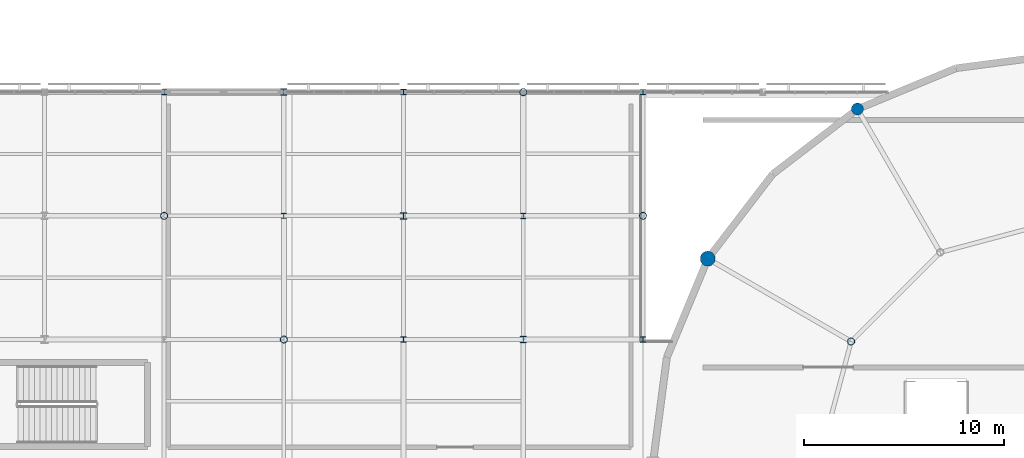
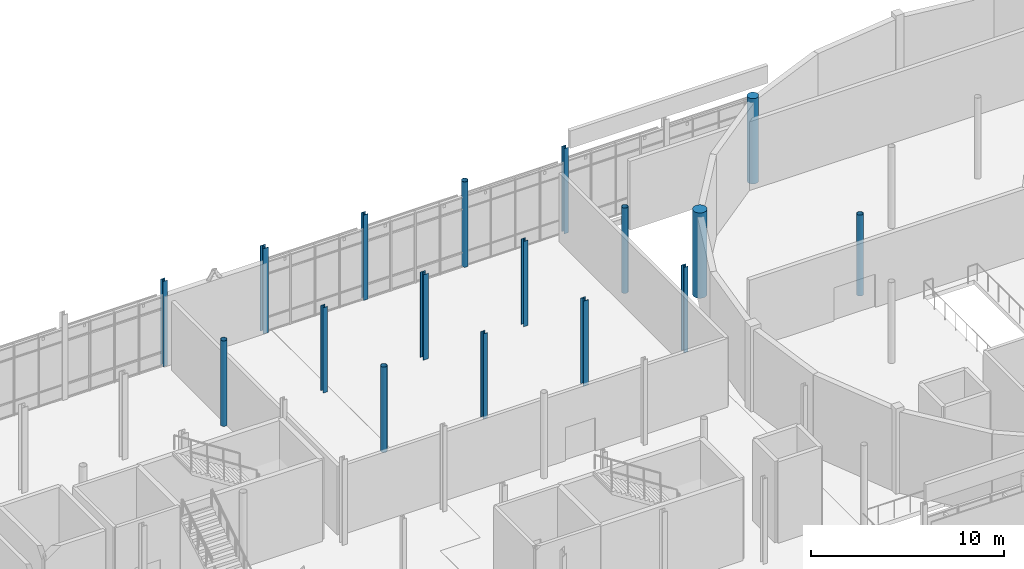
# One storey, part 9 of 105: 17 columns.
"""IFC4 building model written with IfcOpenShell, lengths in metres."""

from ifc_helpers import new_model, si_unit, direction, frame, origin, origin_2d, place, context, subcontext, project, spatial, circle, hollow_circle, i_section, extrude, material, material_profile, profile_set, type_object, element, save


model = new_model("IFC4")

# Units and contexts
model_context = context("Model", 3, precision=1e-05, world=origin(), true_north=direction((0.0, 1.0)))
body_context = subcontext(model_context, "Body", "Model", "MODEL_VIEW")
ifc_project = project(units=[si_unit("LENGTHUNIT", "METRE"), si_unit("AREAUNIT", "SQUARE_METRE"), si_unit("VOLUMEUNIT", "CUBIC_METRE"), si_unit("PLANEANGLEUNIT", "RADIAN"), si_unit("MASSUNIT", "GRAM", prefix="KILO")], contexts=[model_context])

# Site, building, storey
site_placement = place(None, origin())
site = spatial("IfcSite", under=ifc_project, at=site_placement, CompositionType="ELEMENT")
building_placement = place(site_placement, origin())
building = spatial("IfcBuilding", under=site, at=building_placement, Name="Mirzam Square Science Centre", CompositionType="ELEMENT")
storey_placement = place(building_placement, frame((0.0, 0.0, 5.39990234375)))
storey = spatial("IfcBuildingStorey", under=building, at=storey_placement, Name="L01", CompositionType="ELEMENT", Elevation=5.39990234375)

# Columns
ifc_material_1 = material(Name="Steel S355", Category="steel")
ifc_material_profile_1 = material_profile(ifc_material_1, hollow_circle(Radius=0.177734375, WallThickness=0.012451171875, at=origin_2d()), Name="355.6x12.5CHS")
ifc_profile_set_1 = profile_set([ifc_material_profile_1], Name="Steel S355")
column_type_1 = type_object("IfcColumnType", Name="COL-CHS355", PredefinedType="COLUMN", material=ifc_profile_set_1)
for number, where, z_axis, x_axis, name in (
    (1, (36.0, 74.39990234375, 0.0), (0.0, 0.0, 1.0), (1.0, 0.0, 0.0), "L01 column G07-13"),
    (2, (42.0, 68.199951171875, 0.0), (0.0, 0.0, 1.0), (1.0, 0.0, 0.0), "L01 column G08-12"),
    (3, (54.0, 80.60009765625, 0.0), (0.0, 0.0, 1.0), (1.0, 0.0, 0.0), "L01 column G10-14"),
    (4, (60.0, 74.39990234375, 0.0), (0.0, 0.0, 1.0), (1.0, 0.0, 0.0), "L01 column G11-13"),
):
    element("IfcColumn", number, at=place(storey_placement, frame(where, z_axis=z_axis, x_axis=x_axis)), inside=storey, type_object=column_type_1, Name=name, PredefinedType="COLUMN", context=body_context, shape_type="SweptSolid", body=[
        extrude(hollow_circle(Radius=0.177734375, WallThickness=0.012451171875, at=origin_2d()), origin(), (0.0, 0.0, 1.0), 5.400146484375),
    ])
column_1_placement = place(storey_placement, frame((70.4345703125, 68.10009765625, 0.0), z_axis=(0.0, 0.0, 1.0), x_axis=(1.0, 0.0, 0.0)))
element("IfcColumn", 5, at=column_1_placement, inside=storey, type_object=column_type_1, Name="L01 inner drum column 06", PredefinedType="COLUMN", context=body_context, shape_type="SweptSolid", body=[
    extrude(hollow_circle(Radius=0.177734375, WallThickness=0.012451171875, at=origin_2d()), origin(), (0.0, 0.0, 1.0), 5.1201171875),
])
ifc_material_profile_2 = material_profile(ifc_material_1, i_section(OverallWidth=0.25634765625, OverallDepth=0.26025390625, WebThickness=0.01025390625, FlangeThickness=0.017333984375, FilletRadius=0.0126953125, at=origin_2d()), Name="254x254x89UC")
ifc_profile_set_2 = profile_set([ifc_material_profile_2], Name="Steel S355")
column_type_2 = type_object("IfcColumnType", Name="COL-UC254A", PredefinedType="COLUMN", material=ifc_profile_set_2)
for number, where, z_axis, x_axis, name in (
    (6, (36.0, 80.60009765625, 0.0), (0.0, 0.0, 1.0), (1.0, 0.0, 0.0), "L01 column G07-14"),
    (7, (42.0, 74.39990234375, 0.0), (0.0, 0.0, 1.0), (1.0, 0.0, 0.0), "L01 column G08-13"),
    (8, (48.0, 68.199951171875, 0.0), (0.0, 0.0, 1.0), (1.0, 0.0, 0.0), "L01 column G09-12"),
    (9, (60.0, 80.60009765625, 0.0), (0.0, 0.0, 1.0), (1.0, 0.0, 0.0), "L01 column G11-14"),
):
    element("IfcColumn", number, at=place(storey_placement, frame(where, z_axis=z_axis, x_axis=x_axis)), inside=storey, type_object=column_type_2, Name=name, PredefinedType="COLUMN", context=body_context, shape_type="SweptSolid", body=[
        extrude(i_section(OverallWidth=0.25634765625, OverallDepth=0.26025390625, WebThickness=0.01025390625, FlangeThickness=0.017333984375, FilletRadius=0.0126953125, at=origin_2d()), origin(), (0.0, 0.0, 1.0), 5.400146484375),
    ])
ifc_material_profile_3 = material_profile(ifc_material_1, i_section(OverallWidth=0.26123046875, OverallDepth=0.2763671875, WebThickness=0.015380859375, FlangeThickness=0.025390625, FilletRadius=0.0126953125, at=origin_2d()), Name="254x254x132UC")
ifc_profile_set_3 = profile_set([ifc_material_profile_3], Name="Steel S355")
column_type_3 = type_object("IfcColumnType", Name="COL-UC254B", PredefinedType="COLUMN", material=ifc_profile_set_3)
for number, where, z_axis, x_axis, name in (
    (10, (48.0, 80.60009765625, 0.0), (0.0, 0.0, 1.0), (1.0, 0.0, 0.0), "L01 column G09-14"),
    (11, (54.0, 74.39990234375, 0.0), (0.0, 0.0, 1.0), (1.0, 0.0, 0.0), "L01 column G10-13"),
    (12, (60.0, 68.199951171875, 0.0), (0.0, 0.0, 1.0), (1.0, 0.0, 0.0), "L01 column G11-12"),
):
    element("IfcColumn", number, at=place(storey_placement, frame(where, z_axis=z_axis, x_axis=x_axis)), inside=storey, type_object=column_type_3, Name=name, PredefinedType="COLUMN", context=body_context, shape_type="SweptSolid", body=[
        extrude(i_section(OverallWidth=0.26123046875, OverallDepth=0.2763671875, WebThickness=0.015380859375, FlangeThickness=0.025390625, FilletRadius=0.0126953125, at=origin_2d()), origin(), (0.0, 0.0, 1.0), 5.400146484375),
    ])
ifc_material_profile_4 = material_profile(ifc_material_1, i_section(OverallWidth=0.30908203125, OverallDepth=0.320556640625, WebThickness=0.013916015625, FlangeThickness=0.021728515625, FilletRadius=0.01513671875, at=origin_2d()), Name="305x305x137UC")
ifc_profile_set_4 = profile_set([ifc_material_profile_4], Name="Steel S355")
column_type_4 = type_object("IfcColumnType", Name="COL-UC305A", PredefinedType="COLUMN", material=ifc_profile_set_4)
for number, where, z_axis, x_axis, name in (
    (13, (42.0, 80.60009765625, 0.0), (0.0, 0.0, 1.0), (1.0, 0.0, 0.0), "L01 column G08-14"),
    (14, (48.0, 74.39990234375, 0.0), (0.0, 0.0, 1.0), (1.0, 0.0, 0.0), "L01 column G09-13"),
    (15, (54.0, 68.199951171875, 0.0), (0.0, 0.0, 1.0), (1.0, 0.0, 0.0), "L01 column G10-12"),
):
    element("IfcColumn", number, at=place(storey_placement, frame(where, z_axis=z_axis, x_axis=x_axis)), inside=storey, type_object=column_type_4, Name=name, PredefinedType="COLUMN", context=body_context, shape_type="SweptSolid", body=[
        extrude(i_section(OverallWidth=0.30908203125, OverallDepth=0.320556640625, WebThickness=0.013916015625, FlangeThickness=0.021728515625, FilletRadius=0.01513671875, at=origin_2d()), origin(), (0.0, 0.0, 1.0), 5.400146484375),
    ])
ifc_material_2 = material(Name="Concrete C45/55", Category="concrete")
ifc_material_profile_5 = material_profile(ifc_material_2, circle(Radius=0.300048828125, at=origin_2d()), Name="RCD600")
ifc_profile_set_5 = profile_set([ifc_material_profile_5], Name="Concrete C45/55")
column_type_5 = type_object("IfcColumnType", Name="PIL-RCD600", PredefinedType="PILASTER", material=ifc_profile_set_5)
column_2_placement = place(storey_placement, frame((70.75, 79.75341796875, 0.0), z_axis=(0.0, 0.0, 1.0), x_axis=(1.0, 0.0, 0.0)))
element("IfcColumn", 16, at=column_2_placement, inside=storey, type_object=column_type_5, Name="L01 drum pilaster 09", PredefinedType="PILASTER", context=body_context, shape_type="SweptSolid", body=[
    extrude(circle(Radius=0.300048828125, at=origin_2d()), origin(), (0.0, 0.0, 1.0), 5.400146484375),
])
ifc_material_profile_6 = material_profile(ifc_material_2, circle(Radius=0.375, at=origin_2d()), Name="RCD750")
ifc_profile_set_6 = profile_set([ifc_material_profile_6], Name="Concrete C45/55")
column_type_6 = type_object("IfcColumnType", Name="PIL-RCD750", PredefinedType="PILASTER", material=ifc_profile_set_6)
column_3_placement = place(storey_placement, frame((63.24658203125, 72.25, 0.0), z_axis=(0.0, 0.0, 1.0), x_axis=(1.0, 0.0, 0.0)))
element("IfcColumn", 17, at=column_3_placement, inside=storey, type_object=column_type_6, Name="L01 drum pilaster 11", PredefinedType="PILASTER", context=body_context, shape_type="SweptSolid", body=[
    extrude(circle(Radius=0.375, at=origin_2d()), origin(), (0.0, 0.0, 1.0), 5.400146484375),
])

save(model, "model.ifc")
